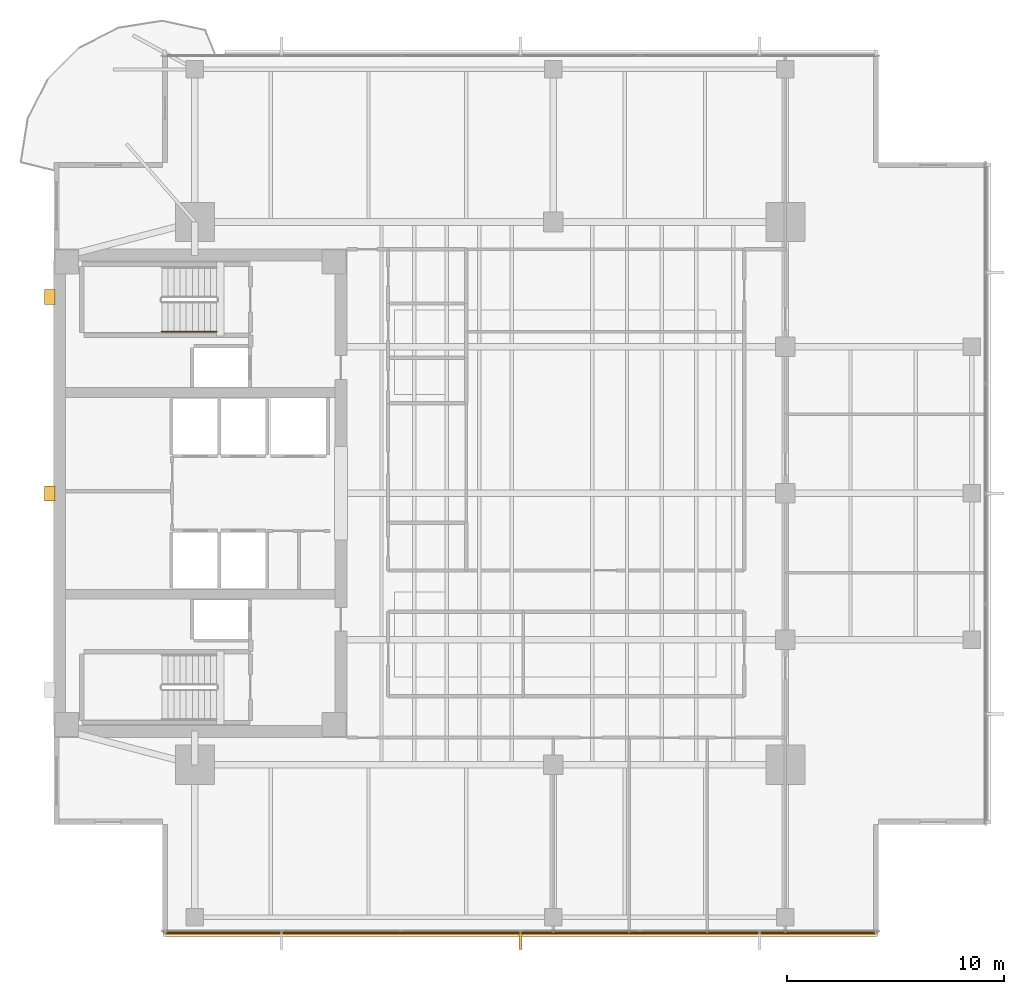
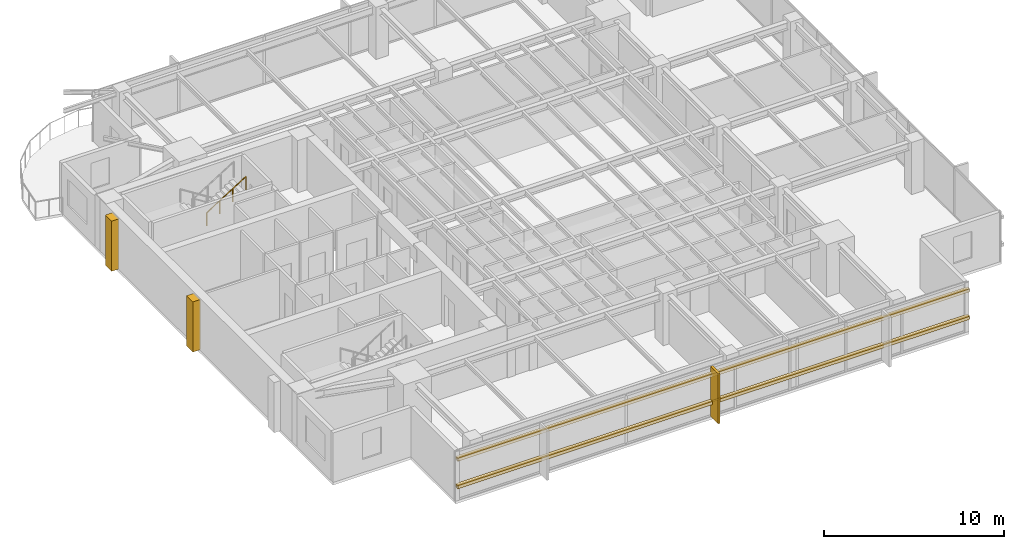
# One storey, part 12 of 14: 5 coverings, 2 shading devices, 1 railing.
"""IFC4 building model written with IfcOpenShell, lengths in metres."""

from ifc_helpers import new_model, si_unit, direction, frame, origin, origin_2d, place, context, subcontext, project, spatial, polyline, rectangle, circle, outline, extrude, material, layer, layer_set, material_profile, profile_set, type_object, element, save


model = new_model("IFC4")

# Units and contexts
model_context = context("Model", 3, precision=1e-05, world=origin(), true_north=direction((0.0, 1.0)))
body_context = subcontext(model_context, "Body", "Model", "MODEL_VIEW")
ifc_project = project(units=[si_unit("LENGTHUNIT", "METRE"), si_unit("AREAUNIT", "SQUARE_METRE"), si_unit("VOLUMEUNIT", "CUBIC_METRE"), si_unit("PLANEANGLEUNIT", "RADIAN"), si_unit("MASSUNIT", "GRAM", prefix="KILO")], contexts=[model_context])

# Site, building, storey
site_placement = place(None, origin())
site = spatial("IfcSite", under=ifc_project, at=site_placement, CompositionType="ELEMENT")
building_placement = place(site_placement, origin())
building = spatial("IfcBuilding", under=site, at=building_placement, Name="Kinhvarn Gate Tower", CompositionType="ELEMENT")
storey_placement = place(building_placement, frame((0.0, 0.0, 227.10009765625)))
storey = spatial("IfcBuildingStorey", under=building, at=storey_placement, Name="L60", CompositionType="ELEMENT", Elevation=227.10009765625)

# Coverings
ifc_material_1 = material(Name="Fired architectural terracotta", Category="masonry")
ifc_layer_1 = layer(ifc_material_1, 0.239990234375)
ifc_layer_set_1 = layer_set([ifc_layer_1], Name="Fired architectural terracotta")
covering_type_1 = type_object("IfcCoveringType", Name="COV-BAG-220", PredefinedType="CLADDING", material=ifc_layer_set_1)
for number, where, name in (
    (1, (0.0, 0.0, 0.93994140625), "Terracotta Horizontal Sunscreen Band TBG-220 (L60)"),
    (2, (0.0, 0.0, 2.809814453125), "Terracotta Horizontal Sunscreen Band TBG-220 (L60)"),
):
    element("IfcCovering", number, at=place(storey_placement, frame(where)), inside=storey, type_object=covering_type_1, Name=name, PredefinedType="CLADDING", context=body_context, shape_type="SweptSolid", body=[
        extrude(outline(polyline([(9.5400390625, 5.070068359375), (42.4599609375, 5.070068359375), (42.4599609375, 4.830078125), (9.5400390625, 4.830078125), (9.5400390625, 5.070068359375)])), origin(), (0.0, 0.0, 1.0), 0.219970703125),
    ])
ifc_layer_2 = layer(ifc_material_1, 0.139892578125)
ifc_layer_set_2 = layer_set([ifc_layer_2], Name="Fired architectural terracotta")
covering_type_2 = type_object("IfcCoveringType", Name="COV-FIN-850", PredefinedType="CLADDING", material=ifc_layer_set_2)
covering_1_placement = place(storey_placement, frame((0.0, 0.0, -0.02001953125)))
element("IfcCovering", 3, at=covering_1_placement, inside=storey, type_object=covering_type_2, Name="Vertical Terracotta Expressive Fin TFN-850 (L60)", PredefinedType="CLADDING", context=body_context, shape_type="SweptSolid", body=[
    extrude(outline(polyline([(25.929931640625, 5.080078125), (26.070068359375, 5.080078125), (26.070068359375, 4.22998046875), (25.929931640625, 4.22998046875), (25.929931640625, 5.080078125)])), origin(), (0.0, 0.0, 1.0), 3.409912109375),
])
ifc_material_2 = material(Name="Precast white architectural concrete C40/50", Category="concrete")
ifc_layer_3 = layer(ifc_material_2, 0.47998046875)
ifc_layer_set_3 = layer_set([ifc_layer_3], Name="Precast white architectural concrete C40/50")
covering_type_3 = type_object("IfcCoveringType", Name="COV-RIB-450", PredefinedType="CLADDING", material=ifc_layer_set_3)
covering_2_placement = place(storey_placement, frame((0.0, 0.0, -0.02001953125)))
element("IfcCovering", 4, at=covering_2_placement, inside=storey, type_object=covering_type_3, Name="West Core Sculptural Concrete Relief Rib CRB-450 (L60)", PredefinedType="CLADDING", context=body_context, shape_type="SweptSolid", body=[
    extrude(outline(polyline([(4.080078125, 24.89990234375), (4.56005859375, 24.89990234375), (4.56005859375, 25.60009765625), (4.080078125, 25.60009765625), (4.080078125, 24.89990234375)])), origin(), (0.0, 0.0, 1.0), 3.409912109375),
])
covering_3_placement = place(storey_placement, frame((0.0, 0.0, -0.02001953125)))
element("IfcCovering", 5, at=covering_3_placement, inside=storey, type_object=covering_type_3, Name="West Core Sculptural Concrete Relief Rib CRB-450 (L60)", PredefinedType="CLADDING", context=body_context, shape_type="SweptSolid", body=[
    extrude(outline(polyline([(4.080078125, 33.949951171875), (4.56005859375, 33.949951171875), (4.56005859375, 34.64990234375), (4.080078125, 34.64990234375), (4.080078125, 33.949951171875)])), origin(), (0.0, 0.0, 1.0), 3.409912109375),
])

# Railing
ifc_material_3 = material(Name="Steel S355", Category="steel")
railing_type = type_object("IfcRailingType", Name="RL-ST-HND", PredefinedType="HANDRAIL", material=ifc_material_3)
railing_placement = place(storey_placement, frame((9.47998046875, 32.699951171875, 1.952392578125)))
element("IfcRailing", 6, at=railing_placement, inside=storey, type_object=railing_type, Name="L60 ST2 stair handrail 2", PredefinedType="HANDRAIL", context=body_context, shape_type="SweptSolid", body=[
    extrude(circle(Radius=0.02392578125, at=origin_2d()), frame((0.0, 0.0, 0.8759765625), z_axis=(0.84460694969, 0.0, 0.535386869969), x_axis=(0.0, 1.0, 0.0)), (0.0, 0.0, 1.0), 2.983642578125),
    extrude(circle(Radius=0.02099609375, at=origin_2d()), origin(), (0.0, 0.0, 1.0), 0.851806640625),
    extrude(circle(Radius=0.02099609375, at=origin_2d()), frame((0.840087890625, 0.0, 0.532470703125)), (0.0, 0.0, 1.0), 0.851806640625),
    extrude(circle(Radius=0.02099609375, at=origin_2d()), frame((1.679931640625, 0.0, 1.06494140625)), (0.0, 0.0, 1.0), 0.851806640625),
    extrude(circle(Radius=0.02099609375, at=origin_2d()), frame((2.52001953125, 0.0, 1.597412109375)), (0.0, 0.0, 1.0), 0.851806640625),
])

# Shading devices
ifc_material_profile = material_profile(ifc_material_1, rectangle(XDim=0.050048828125, YDim=0.1201171875, at=origin_2d()), Name="TC 50x120")
ifc_profile_set = profile_set([ifc_material_profile], Name="Fired architectural terracotta")
shading_device_type = type_object("IfcShadingDeviceType", Name="SHD-BAG-140", PredefinedType="USERDEFINED", material=ifc_profile_set)
for number, where, z_axis, x_axis, name in (
    (7, (9.5400390625, 5.0, 1.0498046875), (1.0, 0.0, 0.0), (0.0, 1.0, 0.0), "Upper Tower Terracotta Baguette Screen Rod 50x120 mm (L60)"),
    (8, (9.5400390625, 5.0, 2.919921875), (1.0, 0.0, 0.0), (0.0, 1.0, 0.0), "Upper Tower Terracotta Baguette Screen Rod 50x120 mm (L60)"),
):
    element("IfcShadingDevice", number, at=place(storey_placement, frame(where, z_axis=z_axis, x_axis=x_axis)), inside=storey, type_object=shading_device_type, Name=name, ObjectType="BAGUETTE", PredefinedType="USERDEFINED", context=body_context, shape_type="SweptSolid", body=[
        extrude(rectangle(XDim=0.050048828125, YDim=0.1201171875, at=origin_2d()), origin(), (0.0, 0.0, 1.0), 32.919921875),
    ])

save(model, "model.ifc")
